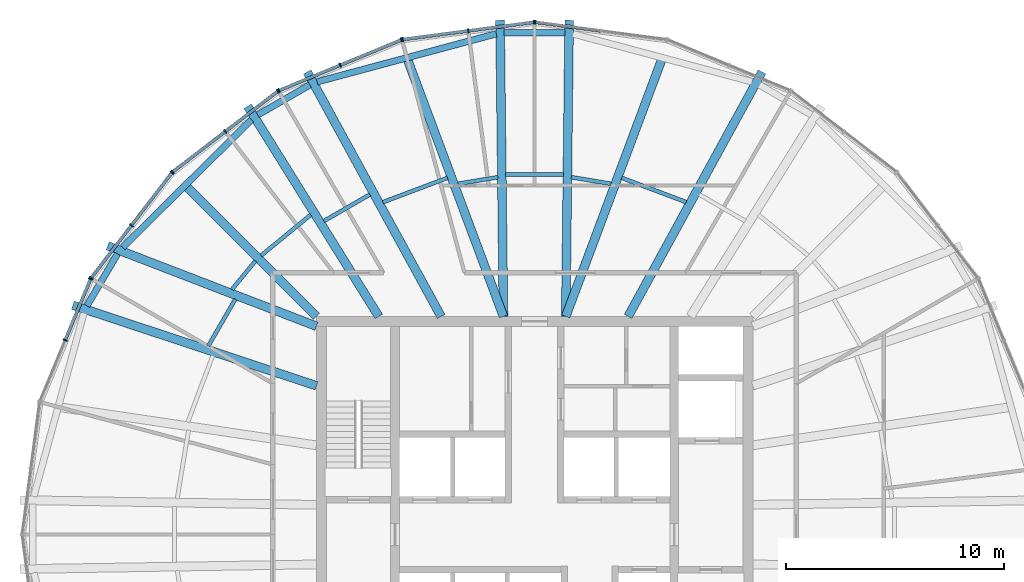
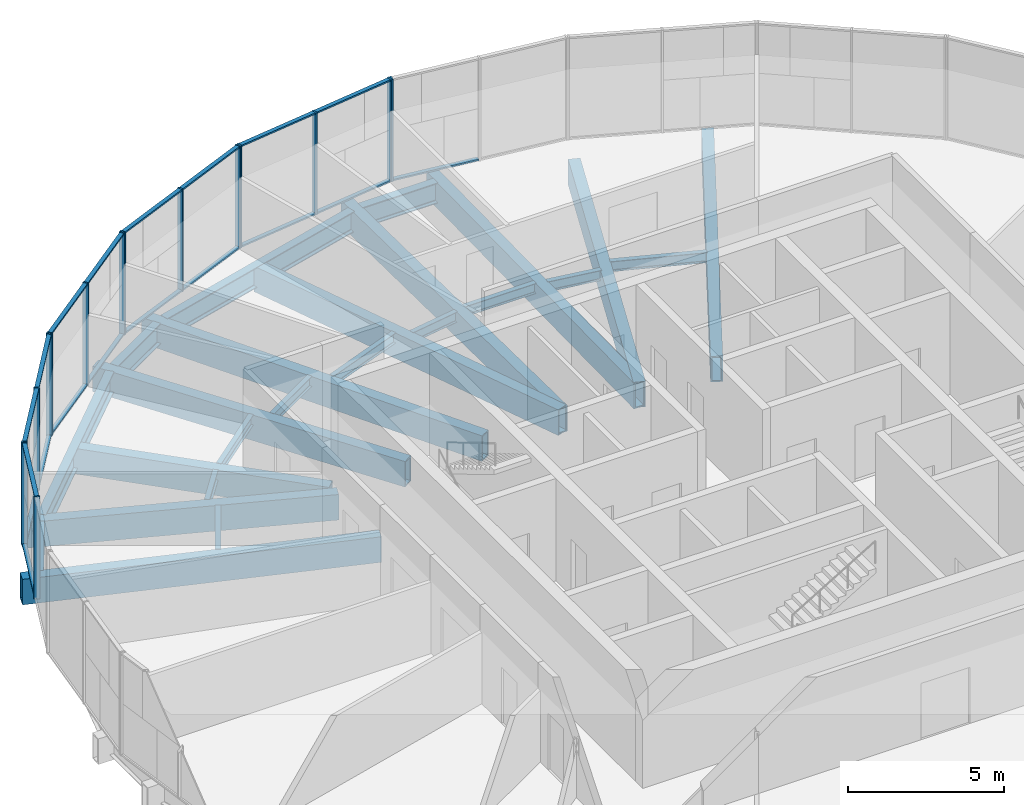
# One storey, part 6 of 13: 34 members, 24 beams, 6 elements without a shape of their own.
"""IFC4 building model written with IfcOpenShell, lengths in metres."""

from ifc_helpers import new_model, si_unit, direction, frame, origin, origin_2d, place, context, subcontext, project, spatial, rectangle, hollow_rectangle, i_section, extrude, material, material_profile, profile_set, type_object, element, aggregate, save


model = new_model("IFC4")

# Units and contexts
model_context = context("Model", 3, precision=1e-05, world=origin(), true_north=direction((0.0, 1.0)))
body_context = subcontext(model_context, "Body", "Model", "MODEL_VIEW")
ifc_project = project(units=[si_unit("LENGTHUNIT", "METRE"), si_unit("AREAUNIT", "SQUARE_METRE"), si_unit("VOLUMEUNIT", "CUBIC_METRE"), si_unit("PLANEANGLEUNIT", "RADIAN"), si_unit("MASSUNIT", "GRAM", prefix="KILO")], contexts=[model_context])

# Site, building, storey
site_placement = place(None, origin())
site = spatial("IfcSite", under=ifc_project, at=site_placement, CompositionType="ELEMENT")
building_placement = place(site_placement, origin())
building = spatial("IfcBuilding", under=site, at=building_placement, Name="Golbaran Civic Tower", CompositionType="ELEMENT")
storey_placement = place(building_placement, frame((0.0, 0.0, 211.0)))
storey = spatial("IfcBuildingStorey", under=building, at=storey_placement, Name="L51", CompositionType="ELEMENT", Elevation=211.0)

# Beams
ifc_material_1 = material(Name="Steel S355", Category="steel")
ifc_material_profile_1 = material_profile(ifc_material_1, i_section(OverallWidth=0.300048828125, OverallDepth=0.800048828125, WebThickness=0.017578125, FlangeThickness=0.032958984375, FilletRadius=0.030029296875, at=origin_2d()), Name="HEB 800")
ifc_profile_set_1 = profile_set([ifc_material_profile_1], Name="Steel S355")
beam_type_1 = type_object("IfcBeamType", Name="EDGE BEAM HEB 800", PredefinedType="BEAM", material=ifc_profile_set_1)
beam_1_placement = place(storey_placement, frame((1.3974609375, 23.0029296875, -0.60009765625), z_axis=(-1.0, 0.0, 0.0), x_axis=(0.0, -1.0, 0.0)))
element("IfcBeam", 1, at=beam_1_placement, inside=storey, type_object=beam_type_1, Name="Edge beam 86.23 L51", PredefinedType="BEAM", context=body_context, shape_type="SweptSolid", body=[
    extrude(i_section(OverallWidth=0.300048828125, OverallDepth=0.800048828125, WebThickness=0.017578125, FlangeThickness=0.032958984375, FilletRadius=0.030029296875, at=origin_2d()), origin(), (0.0, 0.0, 1.0), 2.794921875),
])
beam_2_placement = place(storey_placement, frame((-1.7568359375, 22.954833984375, -0.60009765625), z_axis=(-0.965858788326, -0.259069104706, 0.0), x_axis=(0.259069104706, -0.965858788326, 0.0)))
element("IfcBeam", 2, at=beam_2_placement, inside=storey, type_object=beam_type_1, Name="Edge beam 93.77 L51", PredefinedType="BEAM", context=body_context, shape_type="SweptSolid", body=[
    extrude(i_section(OverallWidth=0.300048828125, OverallDepth=0.800048828125, WebThickness=0.017578125, FlangeThickness=0.032958984375, FilletRadius=0.030029296875, at=origin_2d()), origin(), (0.0, 0.0, 1.0), 8.501220703125),
])
beam_3_placement = place(storey_placement, frame((-10.302734375, 20.614501953125, -0.60009765625), z_axis=(-0.866142829472, -0.499796557565, 0.0), x_axis=(0.499796557565, -0.866142829472, 0.0)))
element("IfcBeam", 3, at=beam_3_placement, inside=storey, type_object=beam_type_1, Name="Edge beam 116.23 L51", PredefinedType="BEAM", context=body_context, shape_type="SweptSolid", body=[
    extrude(i_section(OverallWidth=0.300048828125, OverallDepth=0.800048828125, WebThickness=0.017578125, FlangeThickness=0.032958984375, FilletRadius=0.030029296875, at=origin_2d()), origin(), (0.0, 0.0, 1.0), 2.757080078125),
])
beam_4_placement = place(storey_placement, frame((-12.977783203125, 19.016845703125, -0.60009765625), z_axis=(-0.710417192706, -0.703780798479, 0.0), x_axis=(0.703780798479, -0.710417192706, 0.0)))
element("IfcBeam", 4, at=beam_4_placement, inside=storey, type_object=beam_type_1, Name="Edge beam 123.77 L51", PredefinedType="BEAM", context=body_context, shape_type="SweptSolid", body=[
    extrude(i_section(OverallWidth=0.300048828125, OverallDepth=0.800048828125, WebThickness=0.017578125, FlangeThickness=0.032958984375, FilletRadius=0.030029296875, at=origin_2d()), origin(), (0.0, 0.0, 1.0), 8.314208984375),
])
beam_5_placement = place(storey_placement, frame((-19.1171875, 12.869384765625, -0.60009765625), z_axis=(-0.507657170401, -0.861559166477, 0.0), x_axis=(0.861559166477, -0.507657170401, 0.0)))
element("IfcBeam", 5, at=beam_5_placement, inside=storey, type_object=beam_type_1, Name="Edge beam 146.23 L51", PredefinedType="BEAM", context=body_context, shape_type="SweptSolid", body=[
    extrude(i_section(OverallWidth=0.300048828125, OverallDepth=0.800048828125, WebThickness=0.017578125, FlangeThickness=0.032958984375, FilletRadius=0.030029296875, at=origin_2d()), origin(), (0.0, 0.0, 1.0), 2.762939453125),
])
ifc_material_profile_2 = material_profile(ifc_material_1, i_section(OverallWidth=0.179931640625, OverallDepth=0.39990234375, WebThickness=0.008544921875, FlangeThickness=0.013427734375, FilletRadius=0.02099609375, at=origin_2d()), Name="IPE 400")
ifc_profile_set_2 = profile_set([ifc_material_profile_2], Name="Steel S355")
beam_type_2 = type_object("IfcBeamType", Name="FLOOR INFILL BEAM IPE 400", PredefinedType="BEAM", material=ifc_profile_set_2)
beam_6_placement = place(storey_placement, frame((6.94873046875, 15.238525390625, -0.39990234375), z_axis=(-0.935969741276, 0.352080450203, 0.0), x_axis=(-0.352080450203, -0.935969741276, 0.0)))
element("IfcBeam", 6, at=beam_6_placement, inside=storey, type_object=beam_type_2, Name="Infill beam 69.39 L51", PredefinedType="BEAM", context=body_context, shape_type="SweptSolid", body=[
    extrude(i_section(OverallWidth=0.179931640625, OverallDepth=0.39990234375, WebThickness=0.008544921875, FlangeThickness=0.013427734375, FilletRadius=0.02099609375, at=origin_2d()), origin(), (0.0, 0.0, 1.0), 3.158447265625),
])
beam_7_placement = place(storey_placement, frame((3.5068359375, 16.0791015625, -0.39990234375), z_axis=(-0.986607093362, 0.163114816398, 0.0), x_axis=(-0.163114816398, -0.986607093362, 0.0)))
element("IfcBeam", 7, at=beam_7_placement, inside=storey, type_object=beam_type_2, Name="Infill beam 80.61 L51", PredefinedType="BEAM", context=body_context, shape_type="SweptSolid", body=[
    extrude(i_section(OverallWidth=0.179931640625, OverallDepth=0.39990234375, WebThickness=0.008544921875, FlangeThickness=0.013427734375, FilletRadius=0.02099609375, at=origin_2d()), origin(), (0.0, 0.0, 1.0), 1.849853515625),
])
beam_8_placement = place(storey_placement, frame((1.322998046875, 16.50146484375, -0.39990234375), z_axis=(-1.0, 0.0, 0.0), x_axis=(0.0, -1.0, 0.0)))
element("IfcBeam", 8, at=beam_8_placement, inside=storey, type_object=beam_type_2, Name="Infill beam 90.00 L51", PredefinedType="BEAM", context=body_context, shape_type="SweptSolid", body=[
    extrude(i_section(OverallWidth=0.179931640625, OverallDepth=0.39990234375, WebThickness=0.008544921875, FlangeThickness=0.013427734375, FilletRadius=0.02099609375, at=origin_2d()), origin(), (0.0, 0.0, 1.0), 2.64599609375),
])
beam_9_placement = place(storey_placement, frame((-1.681640625, 16.380859375, -0.39990234375), z_axis=(-0.986607093362, -0.163114816398, 0.0), x_axis=(0.163114816398, -0.986607093362, 0.0)))
element("IfcBeam", 9, at=beam_9_placement, inside=storey, type_object=beam_type_2, Name="Infill beam 99.39 L51", PredefinedType="BEAM", context=body_context, shape_type="SweptSolid", body=[
    extrude(i_section(OverallWidth=0.179931640625, OverallDepth=0.39990234375, WebThickness=0.008544921875, FlangeThickness=0.013427734375, FilletRadius=0.02099609375, at=origin_2d()), origin(), (0.0, 0.0, 1.0), 1.849853515625),
])
beam_10_placement = place(storey_placement, frame((-3.992431640625, 16.3505859375, -0.39990234375), z_axis=(-0.935969741276, -0.352080450203, 0.0), x_axis=(0.352080450203, -0.935969741276, 0.0)))
element("IfcBeam", 10, at=beam_10_placement, inside=storey, type_object=beam_type_2, Name="Infill beam 110.61 L51", PredefinedType="BEAM", context=body_context, shape_type="SweptSolid", body=[
    extrude(i_section(OverallWidth=0.179931640625, OverallDepth=0.39990234375, WebThickness=0.008544921875, FlangeThickness=0.013427734375, FilletRadius=0.02099609375, at=origin_2d()), origin(), (0.0, 0.0, 1.0), 3.158447265625),
])
beam_11_placement = place(storey_placement, frame((-7.551025390625, 15.588623046875, -0.39990234375), z_axis=(-0.866041838024, -0.499971533982, 0.0), x_axis=(0.499971533982, -0.866041838024, 0.0)))
element("IfcBeam", 11, at=beam_11_placement, inside=storey, type_object=beam_type_2, Name="Infill beam 120.00 L51", PredefinedType="BEAM", context=body_context, shape_type="SweptSolid", body=[
    extrude(i_section(OverallWidth=0.179931640625, OverallDepth=0.39990234375, WebThickness=0.008544921875, FlangeThickness=0.013427734375, FilletRadius=0.02099609375, at=origin_2d()), origin(), (0.0, 0.0, 1.0), 2.432373046875),
])
beam_12_placement = place(storey_placement, frame((-10.26025390625, 14.658935546875, -0.39990234375), z_axis=(-0.77290341436, -0.634523689133, 0.0), x_axis=(0.634523689133, -0.77290341436, 0.0)))
element("IfcBeam", 12, at=beam_12_placement, inside=storey, type_object=beam_type_2, Name="Infill beam 129.39 L51", PredefinedType="BEAM", context=body_context, shape_type="SweptSolid", body=[
    extrude(i_section(OverallWidth=0.179931640625, OverallDepth=0.39990234375, WebThickness=0.008544921875, FlangeThickness=0.013427734375, FilletRadius=0.02099609375, at=origin_2d()), origin(), (0.0, 0.0, 1.0), 2.944580078125),
])
beam_13_placement = place(storey_placement, frame((-12.798095703125, 12.54345703125, -0.39990234375), z_axis=(-0.63457951608, -0.772857579229, 0.0), x_axis=(0.772857579229, -0.63457951608, 0.0)))
element("IfcBeam", 13, at=beam_13_placement, inside=storey, type_object=beam_type_2, Name="Infill beam 140.61 L51", PredefinedType="BEAM", context=body_context, shape_type="SweptSolid", body=[
    extrude(i_section(OverallWidth=0.179931640625, OverallDepth=0.39990234375, WebThickness=0.008544921875, FlangeThickness=0.013427734375, FilletRadius=0.02099609375, at=origin_2d()), origin(), (0.0, 0.0, 1.0), 1.693115234375),
])
beam_14_placement = place(storey_placement, frame((-13.718994140625, 10.789794921875, -0.39990234375), z_axis=(-0.499984653673, -0.866034263809, 0.0), x_axis=(0.866034263809, -0.499984653673, 0.0)))
element("IfcBeam", 14, at=beam_14_placement, inside=storey, type_object=beam_type_2, Name="Infill beam 150.00 L51", PredefinedType="BEAM", context=body_context, shape_type="SweptSolid", body=[
    extrude(i_section(OverallWidth=0.179931640625, OverallDepth=0.39990234375, WebThickness=0.008544921875, FlangeThickness=0.013427734375, FilletRadius=0.02099609375, at=origin_2d()), origin(), (0.0, 0.0, 1.0), 2.4716796875),
])

# Curtain wall, member
ifc_material_2 = material(Name="Aluminium and glass", Category="aluminium")
curtain_wall_type = type_object("IfcCurtainWallType", Name="INNER SKIN CURTAIN WALL EXECUTIVE", PredefinedType="NOTDEFINED", material=ifc_material_2)
curtain_wall_1_placement = place(storey_placement, origin())
curtain_wall_1 = element("IfcCurtainWall", 15, at=curtain_wall_1_placement, inside=storey, type_object=curtain_wall_type, Name="Inner skin L51 facet 6 CW2", ObjectType="INNER SKIN", PredefinedType="USERDEFINED")
ifc_material_3 = material(Name="Aluminium", Category="aluminium")
ifc_material_profile_3 = material_profile(ifc_material_3, rectangle(XDim=0.199951171875, YDim=0.06005859375, at=origin_2d()), Name="INNER SKIN CURTAIN WALL EXECUTIVE MULLION")
ifc_profile_set_3 = profile_set([ifc_material_profile_3], Name="Aluminium")
member_type_1 = type_object("IfcMemberType", Name="INNER SKIN CURTAIN WALL EXECUTIVE MULLION", PredefinedType="MULLION", material=ifc_profile_set_3)
member_1_placement = place(storey_placement, frame((0.02978515625, 23.484130859375, 0.0), z_axis=(0.0, 0.0, 1.0), x_axis=(-0.130526192203, -0.991444861376, 0.0)))
member_1 = element("IfcMember", 16, at=member_1_placement, type_object=member_type_1, Name="CW2 mullion 3", PredefinedType="MULLION", context=body_context, shape_type="SweptSolid", body=[
    extrude(rectangle(XDim=0.199951171875, YDim=0.06005859375, at=origin_2d()), origin(), (0.0, 0.0, 1.0), 4.0),
])

# Curtain wall, members
curtain_wall_2_placement = place(storey_placement, origin())
curtain_wall_2 = element("IfcCurtainWall", 17, at=curtain_wall_2_placement, inside=storey, type_object=curtain_wall_type, Name="Inner skin L51 facet 7 CW2", ObjectType="INNER SKIN", PredefinedType="USERDEFINED")
member_2_placement = place(storey_placement, frame((-0.02978515625, 23.484130859375, 0.0), z_axis=(0.0, 0.0, 1.0), x_axis=(0.130526192203, -0.991444861376, 0.0)))
member_2 = element("IfcMember", 18, at=member_2_placement, type_object=member_type_1, Name="CW2 mullion 1", PredefinedType="MULLION", context=body_context, shape_type="SweptSolid", body=[
    extrude(rectangle(XDim=0.199951171875, YDim=0.06005859375, at=origin_2d()), origin(), (0.0, 0.0, 1.0), 4.0),
])
member_3_placement = place(storey_placement, frame((-3.03955078125, 23.087890625, 0.0), z_axis=(0.0, 0.0, 1.0), x_axis=(0.130526192203, -0.991444861376, 0.0)))
member_3 = element("IfcMember", 19, at=member_3_placement, type_object=member_type_1, Name="CW2 mullion 2", PredefinedType="MULLION", context=body_context, shape_type="SweptSolid", body=[
    extrude(rectangle(XDim=0.199951171875, YDim=0.06005859375, at=origin_2d()), origin(), (0.0, 0.0, 1.0), 4.0),
])
member_4_placement = place(storey_placement, frame((-6.04931640625, 22.691650390625, 0.0), z_axis=(0.0, 0.0, 1.0), x_axis=(0.130526192203, -0.991444861376, 0.0)))
member_4 = element("IfcMember", 20, at=member_4_placement, type_object=member_type_1, Name="CW2 mullion 3", PredefinedType="MULLION", context=body_context, shape_type="SweptSolid", body=[
    extrude(rectangle(XDim=0.199951171875, YDim=0.06005859375, at=origin_2d()), origin(), (0.0, 0.0, 1.0), 4.0),
])

curtain_wall_3_placement = place(storey_placement, origin())
curtain_wall_3 = element("IfcCurtainWall", 21, at=curtain_wall_3_placement, inside=storey, type_object=curtain_wall_type, Name="Inner skin L51 facet 8 CW2", ObjectType="INNER SKIN", PredefinedType="USERDEFINED")
member_5_placement = place(storey_placement, frame((-6.10693359375, 22.67626953125, 0.0), z_axis=(0.0, 0.0, 1.0), x_axis=(0.382683432381, -0.923879532505, 0.0)))
member_5 = element("IfcMember", 22, at=member_5_placement, type_object=member_type_1, Name="CW2 mullion 1", PredefinedType="MULLION", context=body_context, shape_type="SweptSolid", body=[
    extrude(rectangle(XDim=0.199951171875, YDim=0.06005859375, at=origin_2d()), origin(), (0.0, 0.0, 1.0), 4.0),
])
member_6_placement = place(storey_placement, frame((-8.91162109375, 21.514404296875, 0.0), z_axis=(0.0, 0.0, 1.0), x_axis=(0.382683432381, -0.923879532505, 0.0)))
member_6 = element("IfcMember", 23, at=member_6_placement, type_object=member_type_1, Name="CW2 mullion 2", PredefinedType="MULLION", context=body_context, shape_type="SweptSolid", body=[
    extrude(rectangle(XDim=0.199951171875, YDim=0.06005859375, at=origin_2d()), origin(), (0.0, 0.0, 1.0), 4.0),
])
member_7_placement = place(storey_placement, frame((-11.71630859375, 20.352783203125, 0.0), z_axis=(0.0, 0.0, 1.0), x_axis=(0.382683432381, -0.923879532505, 0.0)))
member_7 = element("IfcMember", 24, at=member_7_placement, type_object=member_type_1, Name="CW2 mullion 3", PredefinedType="MULLION", context=body_context, shape_type="SweptSolid", body=[
    extrude(rectangle(XDim=0.199951171875, YDim=0.06005859375, at=origin_2d()), origin(), (0.0, 0.0, 1.0), 4.0),
])

curtain_wall_4_placement = place(storey_placement, origin())
curtain_wall_4 = element("IfcCurtainWall", 25, at=curtain_wall_4_placement, inside=storey, type_object=curtain_wall_type, Name="Inner skin L51 facet 9 CW2", ObjectType="INNER SKIN", PredefinedType="USERDEFINED")
member_8_placement = place(storey_placement, frame((-11.767822265625, 20.322998046875, 0.0), z_axis=(0.0, 0.0, 1.0), x_axis=(0.608761428912, -0.793353340366, 0.0)))
member_8 = element("IfcMember", 26, at=member_8_placement, type_object=member_type_1, Name="CW2 mullion 1", PredefinedType="MULLION", context=body_context, shape_type="SweptSolid", body=[
    extrude(rectangle(XDim=0.199951171875, YDim=0.06005859375, at=origin_2d()), origin(), (0.0, 0.0, 1.0), 4.0),
])
member_9_placement = place(storey_placement, frame((-14.17626953125, 18.474853515625, 0.0), z_axis=(0.0, 0.0, 1.0), x_axis=(0.608761428912, -0.793353340366, 0.0)))
member_9 = element("IfcMember", 27, at=member_9_placement, type_object=member_type_1, Name="CW2 mullion 2", PredefinedType="MULLION", context=body_context, shape_type="SweptSolid", body=[
    extrude(rectangle(XDim=0.199951171875, YDim=0.06005859375, at=origin_2d()), origin(), (0.0, 0.0, 1.0), 4.0),
])
member_10_placement = place(storey_placement, frame((-16.584716796875, 16.626708984375, 0.0), z_axis=(0.0, 0.0, 1.0), x_axis=(0.608761428912, -0.793353340366, 0.0)))
member_10 = element("IfcMember", 28, at=member_10_placement, type_object=member_type_1, Name="CW2 mullion 3", PredefinedType="MULLION", context=body_context, shape_type="SweptSolid", body=[
    extrude(rectangle(XDim=0.199951171875, YDim=0.06005859375, at=origin_2d()), origin(), (0.0, 0.0, 1.0), 4.0),
])

curtain_wall_5_placement = place(storey_placement, origin())
curtain_wall_5 = element("IfcCurtainWall", 29, at=curtain_wall_5_placement, inside=storey, type_object=curtain_wall_type, Name="Inner skin L51 facet 10 CW2", ObjectType="INNER SKIN", PredefinedType="USERDEFINED")
member_11_placement = place(storey_placement, frame((-16.626708984375, 16.584716796875, 0.0), z_axis=(0.0, 0.0, 1.0), x_axis=(0.793353340366, -0.608761428912, 0.0)))
member_11 = element("IfcMember", 30, at=member_11_placement, type_object=member_type_1, Name="CW2 mullion 1", PredefinedType="MULLION", context=body_context, shape_type="SweptSolid", body=[
    extrude(rectangle(XDim=0.199951171875, YDim=0.06005859375, at=origin_2d()), origin(), (0.0, 0.0, 1.0), 4.0),
])
member_12_placement = place(storey_placement, frame((-18.474853515625, 14.17626953125, 0.0), z_axis=(0.0, 0.0, 1.0), x_axis=(0.793353340366, -0.608761428912, 0.0)))
member_12 = element("IfcMember", 31, at=member_12_placement, type_object=member_type_1, Name="CW2 mullion 2", PredefinedType="MULLION", context=body_context, shape_type="SweptSolid", body=[
    extrude(rectangle(XDim=0.199951171875, YDim=0.06005859375, at=origin_2d()), origin(), (0.0, 0.0, 1.0), 4.0),
])
member_13_placement = place(storey_placement, frame((-20.322998046875, 11.767822265625, 0.0), z_axis=(0.0, 0.0, 1.0), x_axis=(0.793353340366, -0.608761428912, 0.0)))
member_13 = element("IfcMember", 32, at=member_13_placement, type_object=member_type_1, Name="CW2 mullion 3", PredefinedType="MULLION", context=body_context, shape_type="SweptSolid", body=[
    extrude(rectangle(XDim=0.199951171875, YDim=0.06005859375, at=origin_2d()), origin(), (0.0, 0.0, 1.0), 4.0),
])

curtain_wall_6_placement = place(storey_placement, origin())
curtain_wall_6 = element("IfcCurtainWall", 33, at=curtain_wall_6_placement, inside=storey, type_object=curtain_wall_type, Name="Inner skin L51 facet 11 CW2", ObjectType="INNER SKIN", PredefinedType="USERDEFINED")
member_14_placement = place(storey_placement, frame((-20.352783203125, 11.71630859375, 0.0), z_axis=(0.0, 0.0, 1.0), x_axis=(0.923879532505, -0.382683432381, 0.0)))
member_14 = element("IfcMember", 34, at=member_14_placement, type_object=member_type_1, Name="CW2 mullion 1", PredefinedType="MULLION", context=body_context, shape_type="SweptSolid", body=[
    extrude(rectangle(XDim=0.199951171875, YDim=0.06005859375, at=origin_2d()), origin(), (0.0, 0.0, 1.0), 4.0),
])
member_15_placement = place(storey_placement, frame((-21.514404296875, 8.91162109375, 0.0), z_axis=(0.0, 0.0, 1.0), x_axis=(0.923879532505, -0.382683432381, 0.0)))
member_15 = element("IfcMember", 35, at=member_15_placement, type_object=member_type_1, Name="CW2 mullion 2", PredefinedType="MULLION", context=body_context, shape_type="SweptSolid", body=[
    extrude(rectangle(XDim=0.199951171875, YDim=0.06005859375, at=origin_2d()), origin(), (0.0, 0.0, 1.0), 4.0),
])

# Member
ifc_material_profile_4 = material_profile(ifc_material_3, rectangle(XDim=0.14990234375, YDim=0.06005859375, at=origin_2d()), Name="INNER SKIN CURTAIN WALL EXECUTIVE TRANSOM")
ifc_profile_set_4 = profile_set([ifc_material_profile_4], Name="Aluminium")
member_type_2 = type_object("IfcMemberType", Name="INNER SKIN CURTAIN WALL EXECUTIVE TRANSOM", PredefinedType="USERDEFINED", material=ifc_profile_set_4)
member_16_placement = place(storey_placement, frame((3.009765625, 23.091796875, 0.030029296875), z_axis=(-0.99144368046, 0.130535161835, 0.0), x_axis=(-0.130535161835, -0.99144368046, 0.0)))
member_16 = element("IfcMember", 36, at=member_16_placement, type_object=member_type_2, Name="CW2 transom 2.1", ObjectType="TRANSOM", PredefinedType="USERDEFINED", context=body_context, shape_type="SweptSolid", body=[
    extrude(rectangle(XDim=0.14990234375, YDim=0.06005859375, at=origin_2d()), origin(), (0.0, 0.0, 1.0), 2.9755859375),
])

aggregate(curtain_wall_1, [member_1, member_16])

member_17_placement = place(storey_placement, frame((-0.0595703125, 23.480224609375, 0.030029296875), z_axis=(-0.99144368046, -0.130535161835, 0.0), x_axis=(0.130535161835, -0.99144368046, 0.0)))
member_17 = element("IfcMember", 37, at=member_17_placement, type_object=member_type_2, Name="CW2 transom 1.1", ObjectType="TRANSOM", PredefinedType="USERDEFINED", context=body_context, shape_type="SweptSolid", body=[
    extrude(rectangle(XDim=0.14990234375, YDim=0.06005859375, at=origin_2d()), origin(), (0.0, 0.0, 1.0), 2.9755859375),
])

member_18_placement = place(storey_placement, frame((-0.0595703125, 23.480224609375, 3.969970703125), z_axis=(-0.99144368046, -0.130535161835, 0.0), x_axis=(0.130535161835, -0.99144368046, 0.0)))
member_18 = element("IfcMember", 38, at=member_18_placement, type_object=member_type_2, Name="CW2 transom 1.2", ObjectType="TRANSOM", PredefinedType="USERDEFINED", context=body_context, shape_type="SweptSolid", body=[
    extrude(rectangle(XDim=0.14990234375, YDim=0.06005859375, at=origin_2d()), origin(), (0.0, 0.0, 1.0), 2.9755859375),
])

member_19_placement = place(storey_placement, frame((-3.0693359375, 23.083984375, 0.030029296875), z_axis=(-0.991445078306, -0.130524544442, 0.0), x_axis=(0.130524544442, -0.991445078306, 0.0)))
member_19 = element("IfcMember", 39, at=member_19_placement, type_object=member_type_2, Name="CW2 transom 2.1", ObjectType="TRANSOM", PredefinedType="USERDEFINED", context=body_context, shape_type="SweptSolid", body=[
    extrude(rectangle(XDim=0.14990234375, YDim=0.06005859375, at=origin_2d()), origin(), (0.0, 0.0, 1.0), 2.975830078125),
])

member_20_placement = place(storey_placement, frame((-3.0693359375, 23.083984375, 3.969970703125), z_axis=(-0.991445078306, -0.130524544442, 0.0), x_axis=(0.130524544442, -0.991445078306, 0.0)))
member_20 = element("IfcMember", 40, at=member_20_placement, type_object=member_type_2, Name="CW2 transom 2.2", ObjectType="TRANSOM", PredefinedType="USERDEFINED", context=body_context, shape_type="SweptSolid", body=[
    extrude(rectangle(XDim=0.14990234375, YDim=0.06005859375, at=origin_2d()), origin(), (0.0, 0.0, 1.0), 2.975830078125),
])

aggregate(curtain_wall_2, [member_2, member_3, member_4, member_17, member_18, member_19, member_20])

member_21_placement = place(storey_placement, frame((-6.134521484375, 22.664794921875, 0.030029296875), z_axis=(-0.923863837405, -0.382721321507, 0.0), x_axis=(0.382721321507, -0.923863837405, 0.0)))
member_21 = element("IfcMember", 41, at=member_21_placement, type_object=member_type_2, Name="CW2 transom 1.1", ObjectType="TRANSOM", PredefinedType="USERDEFINED", context=body_context, shape_type="SweptSolid", body=[
    extrude(rectangle(XDim=0.14990234375, YDim=0.06005859375, at=origin_2d()), origin(), (0.0, 0.0, 1.0), 2.975830078125),
])

member_22_placement = place(storey_placement, frame((-6.134521484375, 22.664794921875, 3.969970703125), z_axis=(-0.923863837405, -0.382721321507, 0.0), x_axis=(0.382721321507, -0.923863837405, 0.0)))
member_22 = element("IfcMember", 42, at=member_22_placement, type_object=member_type_2, Name="CW2 transom 1.2", ObjectType="TRANSOM", PredefinedType="USERDEFINED", context=body_context, shape_type="SweptSolid", body=[
    extrude(rectangle(XDim=0.14990234375, YDim=0.06005859375, at=origin_2d()), origin(), (0.0, 0.0, 1.0), 2.975830078125),
])

member_23_placement = place(storey_placement, frame((-8.939208984375, 21.5029296875, 0.030029296875), z_axis=(-0.923892843918, -0.382651294204, 0.0), x_axis=(0.382651294204, -0.923892843918, 0.0)))
member_23 = element("IfcMember", 43, at=member_23_placement, type_object=member_type_2, Name="CW2 transom 2.1", ObjectType="TRANSOM", PredefinedType="USERDEFINED", context=body_context, shape_type="SweptSolid", body=[
    extrude(rectangle(XDim=0.14990234375, YDim=0.06005859375, at=origin_2d()), origin(), (0.0, 0.0, 1.0), 2.975830078125),
])

member_24_placement = place(storey_placement, frame((-8.939208984375, 21.5029296875, 3.969970703125), z_axis=(-0.923892843918, -0.382651294204, 0.0), x_axis=(0.382651294204, -0.923892843918, 0.0)))
member_24 = element("IfcMember", 44, at=member_24_placement, type_object=member_type_2, Name="CW2 transom 2.2", ObjectType="TRANSOM", PredefinedType="USERDEFINED", context=body_context, shape_type="SweptSolid", body=[
    extrude(rectangle(XDim=0.14990234375, YDim=0.06005859375, at=origin_2d()), origin(), (0.0, 0.0, 1.0), 2.975830078125),
])

aggregate(curtain_wall_3, [member_5, member_6, member_7, member_21, member_22, member_23, member_24])

member_25_placement = place(storey_placement, frame((-11.79150390625, 20.3046875, 0.030029296875), z_axis=(-0.79335539968, -0.608758745152, 0.0), x_axis=(0.608758745152, -0.79335539968, 0.0)))
member_25 = element("IfcMember", 45, at=member_25_placement, type_object=member_type_2, Name="CW2 transom 1.1", ObjectType="TRANSOM", PredefinedType="USERDEFINED", context=body_context, shape_type="SweptSolid", body=[
    extrude(rectangle(XDim=0.14990234375, YDim=0.06005859375, at=origin_2d()), origin(), (0.0, 0.0, 1.0), 2.975830078125),
])

member_26_placement = place(storey_placement, frame((-11.79150390625, 20.3046875, 3.969970703125), z_axis=(-0.79335539968, -0.608758745152, 0.0), x_axis=(0.608758745152, -0.79335539968, 0.0)))
member_26 = element("IfcMember", 46, at=member_26_placement, type_object=member_type_2, Name="CW2 transom 1.2", ObjectType="TRANSOM", PredefinedType="USERDEFINED", context=body_context, shape_type="SweptSolid", body=[
    extrude(rectangle(XDim=0.14990234375, YDim=0.06005859375, at=origin_2d()), origin(), (0.0, 0.0, 1.0), 2.975830078125),
])

member_27_placement = place(storey_placement, frame((-14.199951171875, 18.45654296875, 0.030029296875), z_axis=(-0.793385800782, -0.608719123338, 0.0), x_axis=(0.608719123338, -0.793385800782, 0.0)))
member_27 = element("IfcMember", 47, at=member_27_placement, type_object=member_type_2, Name="CW2 transom 2.1", ObjectType="TRANSOM", PredefinedType="USERDEFINED", context=body_context, shape_type="SweptSolid", body=[
    extrude(rectangle(XDim=0.14990234375, YDim=0.06005859375, at=origin_2d()), origin(), (0.0, 0.0, 1.0), 2.97607421875),
])

member_28_placement = place(storey_placement, frame((-14.199951171875, 18.45654296875, 3.969970703125), z_axis=(-0.793385800782, -0.608719123338, 0.0), x_axis=(0.608719123338, -0.793385800782, 0.0)))
member_28 = element("IfcMember", 48, at=member_28_placement, type_object=member_type_2, Name="CW2 transom 2.2", ObjectType="TRANSOM", PredefinedType="USERDEFINED", context=body_context, shape_type="SweptSolid", body=[
    extrude(rectangle(XDim=0.14990234375, YDim=0.06005859375, at=origin_2d()), origin(), (0.0, 0.0, 1.0), 2.97607421875),
])

aggregate(curtain_wall_4, [member_8, member_9, member_10, member_25, member_26, member_27, member_28])

member_29_placement = place(storey_placement, frame((-16.64501953125, 16.56103515625, 0.030029296875), z_axis=(-0.608719123338, -0.793385800782, 0.0), x_axis=(0.793385800782, -0.608719123338, 0.0)))
member_29 = element("IfcMember", 49, at=member_29_placement, type_object=member_type_2, Name="CW2 transom 1.1", ObjectType="TRANSOM", PredefinedType="USERDEFINED", context=body_context, shape_type="SweptSolid", body=[
    extrude(rectangle(XDim=0.14990234375, YDim=0.06005859375, at=origin_2d()), origin(), (0.0, 0.0, 1.0), 2.97607421875),
])

member_30_placement = place(storey_placement, frame((-16.64501953125, 16.56103515625, 3.969970703125), z_axis=(-0.608719123338, -0.793385800782, 0.0), x_axis=(0.793385800782, -0.608719123338, 0.0)))
member_30 = element("IfcMember", 50, at=member_30_placement, type_object=member_type_2, Name="CW2 transom 1.2", ObjectType="TRANSOM", PredefinedType="USERDEFINED", context=body_context, shape_type="SweptSolid", body=[
    extrude(rectangle(XDim=0.14990234375, YDim=0.06005859375, at=origin_2d()), origin(), (0.0, 0.0, 1.0), 2.97607421875),
])

member_31_placement = place(storey_placement, frame((-18.4931640625, 14.15234375, 0.030029296875), z_axis=(-0.608758745152, -0.79335539968, 0.0), x_axis=(0.79335539968, -0.608758745152, 0.0)))
member_31 = element("IfcMember", 51, at=member_31_placement, type_object=member_type_2, Name="CW2 transom 2.1", ObjectType="TRANSOM", PredefinedType="USERDEFINED", context=body_context, shape_type="SweptSolid", body=[
    extrude(rectangle(XDim=0.14990234375, YDim=0.06005859375, at=origin_2d()), origin(), (0.0, 0.0, 1.0), 2.975830078125),
])

member_32_placement = place(storey_placement, frame((-18.4931640625, 14.15234375, 3.969970703125), z_axis=(-0.608758745152, -0.79335539968, 0.0), x_axis=(0.79335539968, -0.608758745152, 0.0)))
member_32 = element("IfcMember", 52, at=member_32_placement, type_object=member_type_2, Name="CW2 transom 2.2", ObjectType="TRANSOM", PredefinedType="USERDEFINED", context=body_context, shape_type="SweptSolid", body=[
    extrude(rectangle(XDim=0.14990234375, YDim=0.06005859375, at=origin_2d()), origin(), (0.0, 0.0, 1.0), 2.975830078125),
])

aggregate(curtain_wall_5, [member_11, member_12, member_13, member_29, member_30, member_31, member_32])

member_33_placement = place(storey_placement, frame((-20.3642578125, 11.6884765625, 0.030029296875), z_axis=(-0.382651294204, -0.923892843918, 0.0), x_axis=(0.923892843918, -0.382651294204, 0.0)))
member_33 = element("IfcMember", 53, at=member_33_placement, type_object=member_type_2, Name="CW2 transom 1.1", ObjectType="TRANSOM", PredefinedType="USERDEFINED", context=body_context, shape_type="SweptSolid", body=[
    extrude(rectangle(XDim=0.14990234375, YDim=0.06005859375, at=origin_2d()), origin(), (0.0, 0.0, 1.0), 2.975830078125),
])

member_34_placement = place(storey_placement, frame((-20.3642578125, 11.6884765625, 3.969970703125), z_axis=(-0.382651294204, -0.923892843918, 0.0), x_axis=(0.923892843918, -0.382651294204, 0.0)))
member_34 = element("IfcMember", 54, at=member_34_placement, type_object=member_type_2, Name="CW2 transom 1.2", ObjectType="TRANSOM", PredefinedType="USERDEFINED", context=body_context, shape_type="SweptSolid", body=[
    extrude(rectangle(XDim=0.14990234375, YDim=0.06005859375, at=origin_2d()), origin(), (0.0, 0.0, 1.0), 2.975830078125),
])

aggregate(curtain_wall_6, [member_14, member_15, member_33, member_34])

# Beams
ifc_material_profile_5 = material_profile(ifc_material_1, hollow_rectangle(XDim=0.39990234375, YDim=1.0, WallThickness=0.050048828125, at=origin_2d()), Name="BOX 1000x400x50")
ifc_profile_set_5 = profile_set([ifc_material_profile_5], Name="Steel S355")
beam_type_3 = type_object("IfcBeamType", Name="RADIAL FLOOR BEAM BOX 1000x400x50", PredefinedType="BEAM", material=ifc_profile_set_5)
beam_15_placement = place(storey_placement, frame((4.28564453125, 10.0, -0.7099609375), z_axis=(0.480258620851, 0.877126933287, 0.0), x_axis=(-0.877126933287, 0.480258620851, 0.0)))
element("IfcBeam", 55, at=beam_15_placement, inside=storey, type_object=beam_type_3, Name="Radial beam 63.77 L51", PredefinedType="BEAM", context=body_context, shape_type="SweptSolid", body=[
    extrude(hollow_rectangle(XDim=0.39990234375, YDim=1.0, WallThickness=0.050048828125, at=origin_2d()), origin(), (0.0, 0.0, 1.0), 12.7763671875),
])
for number, where, z_axis, x_axis, name in (
    (56, (1.428466796875, 10.0, -0.7099609375), (0.011454640758, 0.99993439345, 0.0), (-0.99993439345, 0.011454640758, 0.0), "Radial beam 86.23 L51"),
    (57, (-1.428466796875, 10.0, -0.7099609375), (-0.011454640758, 0.99993439345, 0.0), (-0.99993439345, -0.011454640758, 0.0), "Radial beam 93.77 L51"),
):
    element("IfcBeam", number, at=place(storey_placement, frame(where, z_axis=z_axis, x_axis=x_axis)), inside=storey, type_object=beam_type_3, Name=name, PredefinedType="BEAM", context=body_context, shape_type="SweptSolid", body=[
        extrude(hollow_rectangle(XDim=0.39990234375, YDim=1.0, WallThickness=0.050048828125, at=origin_2d()), origin(), (0.0, 0.0, 1.0), 13.576904296875),
    ])
beam_16_placement = place(storey_placement, frame((-4.28564453125, 10.0, -0.7099609375), z_axis=(-0.480258620851, 0.877126933287, 0.0), x_axis=(-0.877126933287, -0.480258620851, 0.0)))
element("IfcBeam", 58, at=beam_16_placement, inside=storey, type_object=beam_type_3, Name="Radial beam 116.23 L51", PredefinedType="BEAM", context=body_context, shape_type="SweptSolid", body=[
    extrude(hollow_rectangle(XDim=0.39990234375, YDim=1.0, WallThickness=0.050048828125, at=origin_2d()), origin(), (0.0, 0.0, 1.0), 12.7763671875),
])
beam_17_placement = place(storey_placement, frame((-7.142822265625, 10.0, -0.7099609375), z_axis=(-0.529136453268, 0.848536748658, 0.0), x_axis=(-0.848536748658, -0.529136453268, 0.0)))
element("IfcBeam", 59, at=beam_17_placement, inside=storey, type_object=beam_type_3, Name="Radial beam 123.77 L51", PredefinedType="BEAM", context=body_context, shape_type="SweptSolid", body=[
    extrude(hollow_rectangle(XDim=0.39990234375, YDim=1.0, WallThickness=0.050048828125, at=origin_2d()), origin(), (0.0, 0.0, 1.0), 11.351806640625),
])
beam_18_placement = place(storey_placement, frame((-10.0, 9.550048828125, -0.7099609375), z_axis=(-0.933152848345, 0.359479848707, 0.0), x_axis=(-0.359479848707, -0.933152848345, 0.0)))
element("IfcBeam", 60, at=beam_18_placement, inside=storey, type_object=beam_type_3, Name="Radial beam 146.23 L51", PredefinedType="BEAM", context=body_context, shape_type="SweptSolid", body=[
    extrude(hollow_rectangle(XDim=0.39990234375, YDim=1.0, WallThickness=0.050048828125, at=origin_2d()), origin(), (0.0, 0.0, 1.0), 10.257080078125),
])
beam_19_placement = place(storey_placement, frame((-10.0, 6.821533203125, -0.7099609375), z_axis=(-0.949452887328, 0.313909564594, 0.0), x_axis=(-0.313909564594, -0.949452887328, 0.0)))
element("IfcBeam", 61, at=beam_19_placement, inside=storey, type_object=beam_type_3, Name="Radial beam 153.77 L51", PredefinedType="BEAM", context=body_context, shape_type="SweptSolid", body=[
    extrude(hollow_rectangle(XDim=0.39990234375, YDim=1.0, WallThickness=0.050048828125, at=origin_2d()), origin(), (0.0, 0.0, 1.0), 11.7578125),
])
ifc_material_profile_6 = material_profile(ifc_material_1, hollow_rectangle(XDim=0.39990234375, YDim=1.0, WallThickness=0.0400390625, at=origin_2d()), Name="BOX 1000x400x40")
ifc_profile_set_6 = profile_set([ifc_material_profile_6], Name="Steel S355")
beam_type_4 = type_object("IfcBeamType", Name="SECONDARY FLOOR BEAM BOX 1000x400x40", PredefinedType="BEAM", material=ifc_profile_set_6)
for number, where, z_axis, x_axis, name in (
    (62, (1.428466796875, 10.0, -0.7099609375), (0.349877878636, 0.936795319182, 0.0), (-0.936795319182, 0.349877878636, 0.0), "Secondary beam 75.00 L51"),
    (63, (-1.428466796875, 10.0, -0.7099609375), (-0.349877878636, 0.936795319182, 0.0), (-0.936795319182, -0.349877878636, 0.0), "Secondary beam 105.00 L51"),
):
    element("IfcBeam", number, at=place(storey_placement, frame(where, z_axis=z_axis, x_axis=x_axis)), inside=storey, type_object=beam_type_4, Name=name, PredefinedType="BEAM", context=body_context, shape_type="SweptSolid", body=[
        extrude(hollow_rectangle(XDim=0.39990234375, YDim=1.0, WallThickness=0.0400390625, at=origin_2d()), origin(), (0.0, 0.0, 1.0), 12.655029296875),
    ])
beam_20_placement = place(storey_placement, frame((-10.0, 10.0, -0.7099609375), z_axis=(-0.707106781187, 0.707106781187, 0.0), x_axis=(-0.707106781187, -0.707106781187, 0.0)))
element("IfcBeam", 64, at=beam_20_placement, inside=storey, type_object=beam_type_4, Name="Secondary beam 135.00 L51", PredefinedType="BEAM", context=body_context, shape_type="SweptSolid", body=[
    extrude(hollow_rectangle(XDim=0.39990234375, YDim=1.0, WallThickness=0.0400390625, at=origin_2d()), origin(), (0.0, 0.0, 1.0), 8.50146484375),
])

save(model, "model.ifc")
